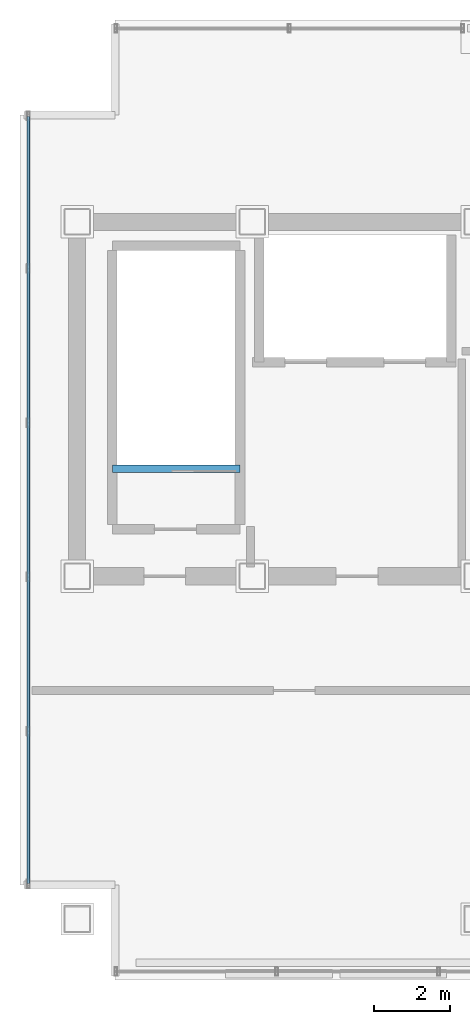
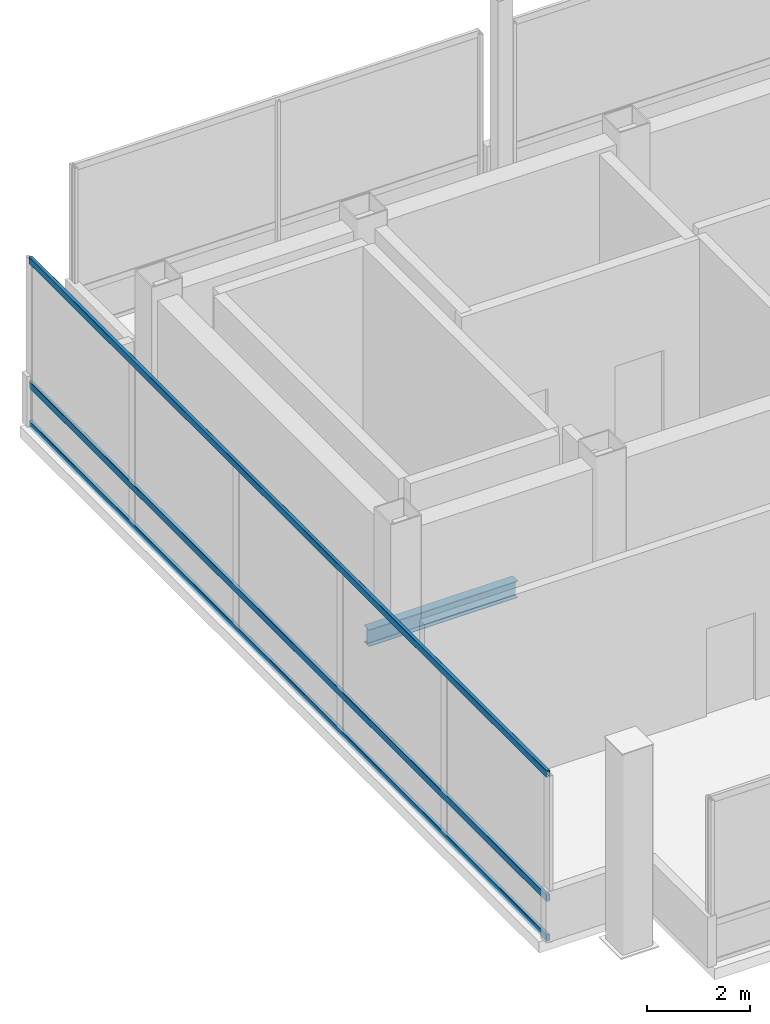
# One storey, part 6 of 20: 3 members, 1 beam, 1 element without a shape of its own.
"""IFC4 building model written with IfcOpenShell, lengths in metres."""

from ifc_helpers import new_model, si_unit, direction, frame, origin, origin_2d, place, context, subcontext, project, spatial, hollow_rectangle, i_section, extrude, material, material_profile, profile_set, type_object, element, aggregate, save


model = new_model("IFC4")

# Units and contexts
model_context = context("Model", 3, precision=1e-05, world=origin(), true_north=direction((0.0, 1.0)))
body_context = subcontext(model_context, "Body", "Model", "MODEL_VIEW")
ifc_project = project(units=[si_unit("LENGTHUNIT", "METRE"), si_unit("AREAUNIT", "SQUARE_METRE"), si_unit("VOLUMEUNIT", "CUBIC_METRE"), si_unit("PLANEANGLEUNIT", "RADIAN"), si_unit("MASSUNIT", "GRAM", prefix="KILO")], contexts=[model_context])

# Site, building, storey
site_placement = place(None, origin())
site = spatial("IfcSite", under=ifc_project, at=site_placement, CompositionType="ELEMENT")
building_placement = place(site_placement, origin())
building = spatial("IfcBuilding", under=site, at=building_placement, Name="Noeulbin Bourse Tower", CompositionType="ELEMENT")
storey_placement = place(building_placement, frame((0.0, 0.0, 312.60009765625)))
storey = spatial("IfcBuildingStorey", under=building, at=storey_placement, Name="L77", CompositionType="ELEMENT", Elevation=312.60009765625)

# Beam
ifc_material_1 = material(Name="Steel S355", Category="steel")
ifc_material_profile_1 = material_profile(ifc_material_1, i_section(OverallWidth=0.199951171875, OverallDepth=0.39990234375, WebThickness=0.008056640625, FlangeThickness=0.012939453125, FilletRadius=0.01611328125, at=origin_2d()), Name="H-400x200x8x13", Category="LoadBearing")
ifc_profile_set_1 = profile_set([ifc_material_profile_1], Name="Steel S355")
beam_type = type_object("IfcBeamType", Name="BM-SEC-400", PredefinedType="BEAM", material=ifc_profile_set_1)
beam_placement = place(storey_placement, frame((14.429931640625, 31.820068359375, -0.2001953125), z_axis=(1.0, 0.0, 0.0), x_axis=(0.0, 1.0, 0.0)))
element("IfcBeam", 1, at=beam_placement, inside=storey, type_object=beam_type, Name="Stair Threshold Trimmer Beam ST1-L77", PredefinedType="BEAM", context=body_context, shape_type="SweptSolid", body=[
    extrude(i_section(OverallWidth=0.199951171875, OverallDepth=0.39990234375, WebThickness=0.008056640625, FlangeThickness=0.012939453125, FilletRadius=0.01611328125, at=origin_2d()), origin(), (0.0, 0.0, 1.0), 3.340087890625),
])

# Curtain wall, members
ifc_material_2 = material(Name="High-Selectivity Low-Iron Glazing", Category="glass")
curtain_wall_type = type_object("IfcCurtainWallType", Name="CW-SYS-4", PredefinedType="NOTDEFINED", material=ifc_material_2)
curtain_wall_placement = place(storey_placement, origin())
curtain_wall = element("IfcCurtainWall", 2, at=curtain_wall_placement, inside=storey, type_object=curtain_wall_type, Name="Unitised Curtain Wall CW-L77-W", PredefinedType="NOTDEFINED")
ifc_material_3 = material(Name="Anodised Aluminium 6063-T6", Category="aluminium")
ifc_material_profile_2 = material_profile(ifc_material_3, hollow_rectangle(XDim=0.074951171875, YDim=0.159912109375, WallThickness=0.0048828125, InnerFilletRadius=0.00244140625, OuterFilletRadius=0.0048828125, at=origin_2d()), Name="ALU-TRAN-75x160x5", Category="LoadBearing")
ifc_profile_set_2 = profile_set([ifc_material_profile_2], Name="Anodised Aluminium 6063-T6")
member_type = type_object("IfcMemberType", Name="CW-SYS-4-TRN", PredefinedType="USERDEFINED", material=ifc_profile_set_2)
member_1_placement = place(storey_placement, frame((12.219970703125, 20.929931640625, 0.010009765625), z_axis=(0.0, 1.0, 0.0), x_axis=(-1.0, 0.0, 0.0)))
member_1 = element("IfcMember", 3, at=member_1_placement, type_object=member_type, Name="Curtain Wall Transom CW-L77-W-T00", ObjectType="TRANSOM", PredefinedType="USERDEFINED", context=body_context, shape_type="SweptSolid", body=[
    extrude(hollow_rectangle(XDim=0.074951171875, YDim=0.159912109375, WallThickness=0.0048828125, InnerFilletRadius=0.00244140625, OuterFilletRadius=0.0048828125, at=origin_2d()), origin(), (0.0, 0.0, 1.0), 20.14013671875),
])
member_2_placement = place(storey_placement, frame((12.219970703125, 20.929931640625, 0.949951171875), z_axis=(0.0, 1.0, 0.0), x_axis=(-1.0, 0.0, 0.0)))
member_2 = element("IfcMember", 4, at=member_2_placement, type_object=member_type, Name="Curtain Wall Transom CW-L77-W-T01", ObjectType="TRANSOM", PredefinedType="USERDEFINED", context=body_context, shape_type="SweptSolid", body=[
    extrude(hollow_rectangle(XDim=0.074951171875, YDim=0.159912109375, WallThickness=0.0048828125, InnerFilletRadius=0.00244140625, OuterFilletRadius=0.0048828125, at=origin_2d()), origin(), (0.0, 0.0, 1.0), 20.14013671875),
])
member_3_placement = place(storey_placement, frame((12.219970703125, 20.929931640625, 3.89990234375), z_axis=(0.0, 1.0, 0.0), x_axis=(-1.0, 0.0, 0.0)))
member_3 = element("IfcMember", 5, at=member_3_placement, type_object=member_type, Name="Curtain Wall Transom CW-L77-W-T02", ObjectType="TRANSOM", PredefinedType="USERDEFINED", context=body_context, shape_type="SweptSolid", body=[
    extrude(hollow_rectangle(XDim=0.074951171875, YDim=0.159912109375, WallThickness=0.0048828125, InnerFilletRadius=0.00244140625, OuterFilletRadius=0.0048828125, at=origin_2d()), origin(), (0.0, 0.0, 1.0), 20.14013671875),
])
aggregate(curtain_wall, [member_1, member_2, member_3])

save(model, "model.ifc")
